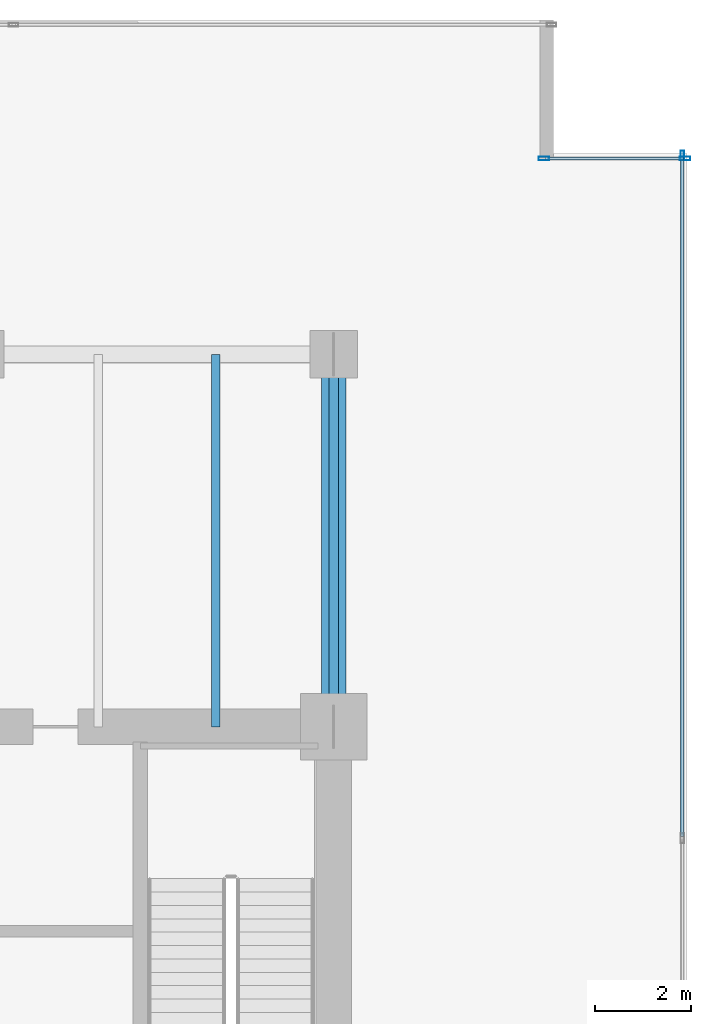
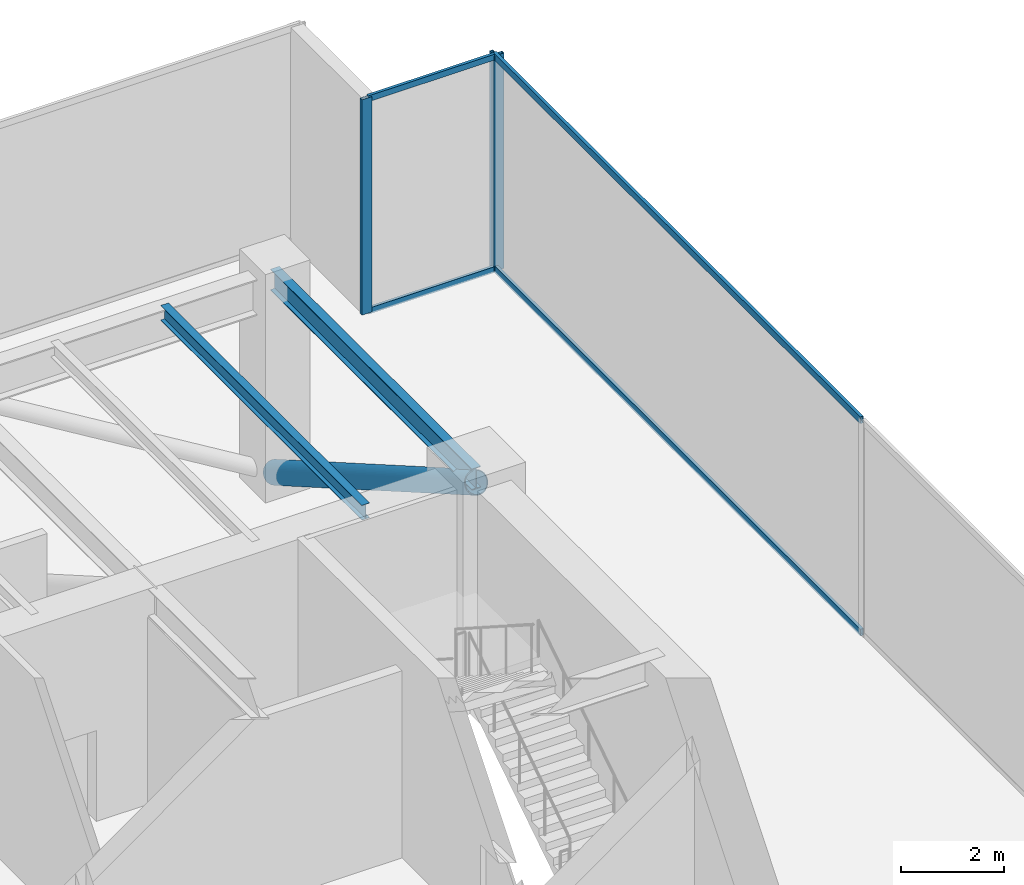
# One storey, part 26 of 38: 8 members, 2 beams, 2 elements without a shape of their own.
"""IFC4 building model written with IfcOpenShell, lengths in metres."""

from ifc_helpers import new_model, si_unit, direction, frame, origin, origin_2d, place, context, subcontext, project, spatial, hollow_rectangle, hollow_circle, i_section, extrude, source, transform, mapped, material, layer, layer_set, material_profile, profile_set, type_object, type_shapes, element, aggregate, save


model = new_model("IFC4")

# Units and contexts
model_context = context("Model", 3, precision=1e-05, world=origin(), true_north=direction((0.0, 1.0)))
body_context = subcontext(model_context, "Body", "Model", "MODEL_VIEW")
ifc_project = project(units=[si_unit("LENGTHUNIT", "METRE"), si_unit("AREAUNIT", "SQUARE_METRE"), si_unit("VOLUMEUNIT", "CUBIC_METRE"), si_unit("PLANEANGLEUNIT", "RADIAN"), si_unit("MASSUNIT", "GRAM", prefix="KILO")], contexts=[model_context])

# Site, building, storey
site_placement = place(None, origin())
site = spatial("IfcSite", under=ifc_project, at=site_placement, CompositionType="ELEMENT")
building_placement = place(site_placement, origin())
building = spatial("IfcBuilding", under=site, at=building_placement, Name="Haelvirn Gate Laboratories", CompositionType="ELEMENT")
storey_placement = place(building_placement, frame((0.0, 0.0, 94.89990234375)))
storey = spatial("IfcBuildingStorey", under=building, at=storey_placement, Name="L23", CompositionType="ELEMENT", Elevation=94.89990234375)

# Beams
ifc_material_1 = material(Name="Steel SM355", Category="steel")
ifc_material_profile_1 = material_profile(ifc_material_1, i_section(OverallWidth=0.199951171875, OverallDepth=0.5, WebThickness=0.010009765625, FlangeThickness=0.01611328125, at=origin_2d()), Name="H-500x200x10x16")
ifc_profile_set_1 = profile_set([ifc_material_profile_1], Name="Steel SM355")
beam_type_1 = type_object("IfcBeamType", Name="BM-SP-500", PredefinedType="SPANDREL", material=ifc_profile_set_1)
shared_shape_1 = source(origin(), body_context, "Body", "SweptSolid", [
    extrude(i_section(OverallWidth=0.199951171875, OverallDepth=0.5, WebThickness=0.010009765625, FlangeThickness=0.01611328125, at=origin_2d()), origin(), (0.0, 0.0, 1.0), 7.800048828125),
])
type_shapes(beam_type_1, [shared_shape_1])
beam_1_placement = place(storey_placement, frame((67.39990234375, 33.800048828125, 4.840087890625), z_axis=(0.0, 1.0, 0.0), x_axis=(-1.0, 0.0, 0.0)))
element("IfcBeam", 1, at=beam_1_placement, inside=storey, type_object=beam_type_1, Name="L23 Perimeter Spandrel X67.4 (33.8-41.6)", PredefinedType="SPANDREL", context=body_context, shape_type="MappedRepresentation", body=[
    mapped(shared_shape_1, transform((0.0, 0.0, 0.0), scale=1.0)),
])
ifc_material_profile_2 = material_profile(ifc_material_1, i_section(OverallWidth=0.175048828125, OverallDepth=0.35009765625, WebThickness=0.007080078125, FlangeThickness=0.010986328125, at=origin_2d()), Name="H-350x175x7x11")
ifc_profile_set_2 = profile_set([ifc_material_profile_2], Name="Steel SM355")
beam_type_2 = type_object("IfcBeamType", Name="BM-J-350", PredefinedType="JOIST", material=ifc_profile_set_2)
shared_shape_2 = source(origin(), body_context, "Body", "SweptSolid", [
    extrude(i_section(OverallWidth=0.175048828125, OverallDepth=0.35009765625, WebThickness=0.007080078125, FlangeThickness=0.010986328125, at=origin_2d()), origin(), (0.0, 0.0, 1.0), 7.800048828125),
])
type_shapes(beam_type_2, [shared_shape_2])
beam_2_placement = place(storey_placement, frame((64.929931640625, 33.800048828125, 4.9150390625), z_axis=(0.0, 1.0, 0.0), x_axis=(-1.0, 0.0, 0.0)))
element("IfcBeam", 2, at=beam_2_placement, inside=storey, type_object=beam_type_2, Name="L23 Composite Lab Joist North X64.93", PredefinedType="JOIST", context=body_context, shape_type="MappedRepresentation", body=[
    mapped(shared_shape_2, transform((0.0, 0.0, 0.0), scale=1.0)),
])

# Member
ifc_material_2 = material(Name="Steel SM420", Category="steel")
ifc_material_profile_3 = material_profile(ifc_material_2, hollow_circle(Radius=0.25390625, WallThickness=0.02001953125, at=origin_2d()), Name="CHS-508x20")
ifc_profile_set_3 = profile_set([ifc_material_profile_3], Name="Steel SM420")
member_type_1 = type_object("IfcMemberType", Name="MEM-OUTRIG-1", PredefinedType="BRACE", material=ifc_profile_set_3)
shared_shape_3 = source(origin(), body_context, "Body", "SweptSolid", [
    extrude(hollow_circle(Radius=0.25390625, WallThickness=0.02001953125, at=origin_2d()), origin(), (0.0, 0.0, 1.0), 9.0),
])
type_shapes(member_type_1, [shared_shape_3])
member_1_placement = place(storey_placement, frame((67.39990234375, 33.800048828125, 4.739990234375), z_axis=(0.0, 0.866667951138, -0.498885420182), x_axis=(-1.0, 0.0, 0.0)))
element("IfcMember", 3, at=member_1_placement, inside=storey, type_object=member_type_1, Name="L23 Outrigger Truss Arm EN2", PredefinedType="BRACE", context=body_context, shape_type="MappedRepresentation", body=[
    mapped(shared_shape_3, transform((0.0, 0.0, 0.0), scale=1.0)),
])

# Curtain wall, members
ifc_material_3 = material(Name="Anodised bronze unitised aluminium & triple low-E glass", Category="aluminium")
ifc_layer_1 = layer(ifc_material_3, 0.181884765625, Name="CW-SYS-5")
ifc_layer_set_1 = layer_set([ifc_layer_1], Name="Anodised bronze unitised aluminium & triple low-E glass")
curtain_wall_type_1 = type_object("IfcCurtainWallType", Name="CW-SYS-5", PredefinedType="NOTDEFINED", material=ifc_layer_set_1)
curtain_wall_1_placement = place(storey_placement, origin())
curtain_wall_1 = element("IfcCurtainWall", 4, at=curtain_wall_1_placement, inside=storey, type_object=curtain_wall_type_1, Name="L23 Unitised Curtain Wall CW-L23-P0-E08-1", PredefinedType="NOTDEFINED")
ifc_material_4 = material(Name="Extruded aluminium 6063-T6 (anodised bronze)", Category="aluminium")
ifc_material_profile_4 = material_profile(ifc_material_4, hollow_rectangle(XDim=0.06494140625, YDim=0.139892578125, WallThickness=0.00390625, at=origin_2d()), Name="CWT-140x65x4")
ifc_profile_set_4 = profile_set([ifc_material_profile_4], Name="Extruded aluminium 6063-T6 (anodised bronze)")
member_type_2 = type_object("IfcMemberType", Name="CWT-T140", PredefinedType="USERDEFINED", material=ifc_profile_set_4)
shared_shape_4 = source(origin(), body_context, "Body", "SweptSolid", [
    extrude(hollow_rectangle(XDim=0.06494140625, YDim=0.139892578125, WallThickness=0.00390625, at=origin_2d()), origin(), (0.0, 0.0, 1.0), 2.8798828125),
])
type_shapes(member_type_2, [shared_shape_4])
member_2_placement = place(storey_placement, frame((71.840087890625, 45.699951171875, 0.03271484375), z_axis=(1.0, 0.0, 0.0), x_axis=(0.0, 1.0, 0.0)))
member_2 = element("IfcMember", 5, at=member_2_placement, type_object=member_type_2, Name="CW5 transom 1.1", ObjectType="TRANSOM", PredefinedType="USERDEFINED", context=body_context, shape_type="MappedRepresentation", body=[
    mapped(shared_shape_4, transform((0.0, 0.0, 0.0), scale=1.0)),
])
member_3_placement = place(storey_placement, frame((71.840087890625, 45.699951171875, 5.0576171875), z_axis=(1.0, 0.0, 0.0), x_axis=(0.0, 1.0, 0.0)))
member_3 = element("IfcMember", 6, at=member_3_placement, type_object=member_type_2, Name="CW5 transom 1.2", ObjectType="TRANSOM", PredefinedType="USERDEFINED", context=body_context, shape_type="MappedRepresentation", body=[
    mapped(shared_shape_4, transform((0.0, 0.0, 0.0), scale=1.0)),
])

ifc_layer_2 = layer(ifc_material_3, 0.18408203125, Name="CW-SYS-2")
ifc_layer_set_2 = layer_set([ifc_layer_2], Name="Anodised bronze unitised aluminium & triple low-E glass")
curtain_wall_type_2 = type_object("IfcCurtainWallType", Name="CW-SYS-2", PredefinedType="NOTDEFINED", material=ifc_layer_set_2)
curtain_wall_2_placement = place(storey_placement, origin())
curtain_wall_2 = element("IfcCurtainWall", 7, at=curtain_wall_2_placement, inside=storey, type_object=curtain_wall_type_2, Name="L23 Unitised Curtain Wall CW-L23-P0-E07", PredefinedType="NOTDEFINED")
ifc_material_profile_5 = material_profile(ifc_material_4, hollow_rectangle(XDim=0.070068359375, YDim=0.159912109375, WallThickness=0.0048828125, at=origin_2d()), Name="CWT-160x70x5")
ifc_profile_set_5 = profile_set([ifc_material_profile_5], Name="Extruded aluminium 6063-T6 (anodised bronze)")
member_type_3 = type_object("IfcMemberType", Name="CWT-T160", PredefinedType="USERDEFINED", material=ifc_profile_set_5)
shared_shape_5 = source(origin(), body_context, "Body", "SweptSolid", [
    extrude(hollow_rectangle(XDim=0.070068359375, YDim=0.159912109375, WallThickness=0.0048828125, at=origin_2d()), origin(), (0.0, 0.0, 1.0), 14.220947265625),
])
type_shapes(member_type_3, [shared_shape_5])
member_4_placement = place(storey_placement, frame((74.699951171875, 31.504150390625, 0.03515625), z_axis=(0.0, 1.0, 0.0), x_axis=(-1.0, 0.0, 0.0)))
member_4 = element("IfcMember", 8, at=member_4_placement, type_object=member_type_3, Name="CW2 transom 3.1", ObjectType="TRANSOM", PredefinedType="USERDEFINED", context=body_context, shape_type="MappedRepresentation", body=[
    mapped(shared_shape_5, transform((0.0, 0.0, 0.0), scale=1.0)),
])
member_5_placement = place(storey_placement, frame((74.699951171875, 31.504150390625, 5.05517578125), z_axis=(0.0, 1.0, 0.0), x_axis=(-1.0, 0.0, 0.0)))
member_5 = element("IfcMember", 9, at=member_5_placement, type_object=member_type_3, Name="CW2 transom 3.2", ObjectType="TRANSOM", PredefinedType="USERDEFINED", context=body_context, shape_type="MappedRepresentation", body=[
    mapped(shared_shape_5, transform((0.0, 0.0, 0.0), scale=1.0)),
])
ifc_material_profile_6 = material_profile(ifc_material_4, hollow_rectangle(XDim=0.074951171875, YDim=0.199951171875, WallThickness=0.0048828125, at=origin_2d()), Name="CWM-200x75x5")
ifc_profile_set_6 = profile_set([ifc_material_profile_6], Name="Extruded aluminium 6063-T6 (anodised bronze)")
member_type_4 = type_object("IfcMemberType", Name="CWM-T200", PredefinedType="MULLION", material=ifc_profile_set_6)
shared_shape_6 = source(origin(), body_context, "Body", "SweptSolid", [
    extrude(hollow_rectangle(XDim=0.074951171875, YDim=0.199951171875, WallThickness=0.0048828125, at=origin_2d()), origin(), (0.0, 0.0, 1.0), 5.090087890625),
])
type_shapes(member_type_4, [shared_shape_6])
member_6_placement = place(storey_placement, frame((74.699951171875, 45.762451171875, 0.0), z_axis=(0.0, 0.0, 1.0), x_axis=(-1.0, 0.0, 0.0)))
member_6 = element("IfcMember", 10, at=member_6_placement, type_object=member_type_4, Name="CW2 mullion 4", PredefinedType="MULLION", context=body_context, shape_type="MappedRepresentation", body=[
    mapped(shared_shape_6, transform((0.0, 0.0, 0.0), scale=1.0)),
])
aggregate(curtain_wall_2, [member_6, member_4, member_5])

# Member
ifc_material_profile_7 = material_profile(ifc_material_4, hollow_rectangle(XDim=0.080078125, YDim=0.219970703125, WallThickness=0.006103515625, at=origin_2d()), Name="CWM-220x80x6")
ifc_profile_set_7 = profile_set([ifc_material_profile_7], Name="Extruded aluminium 6063-T6 (anodised bronze)")
member_type_5 = type_object("IfcMemberType", Name="CWM-T220", PredefinedType="MULLION", material=ifc_profile_set_7)
shared_shape_7 = source(origin(), body_context, "Body", "SweptSolid", [
    extrude(hollow_rectangle(XDim=0.080078125, YDim=0.219970703125, WallThickness=0.006103515625, at=origin_2d()), origin(), (0.0, 0.0, 1.0), 5.090087890625),
])
type_shapes(member_type_5, [shared_shape_7])
member_7_placement = place(storey_placement, frame((71.800048828125, 45.699951171875, 0.0), z_axis=(0.0, 0.0, 1.0), x_axis=(0.0, 1.0, 0.0)))
member_7 = element("IfcMember", 11, at=member_7_placement, type_object=member_type_5, Name="CW5 mullion 1", PredefinedType="MULLION", context=body_context, shape_type="MappedRepresentation", body=[
    mapped(shared_shape_7, transform((0.0, 0.0, 0.0), scale=1.0)),
])

member_8_placement = place(storey_placement, frame((74.760009765625, 45.699951171875, 0.0), z_axis=(0.0, 0.0, 1.0), x_axis=(0.0, 1.0, 0.0)))
member_8 = element("IfcMember", 12, at=member_8_placement, type_object=member_type_5, Name="CW5 mullion 2", PredefinedType="MULLION", context=body_context, shape_type="MappedRepresentation", body=[
    mapped(shared_shape_7, transform((0.0, 0.0, 0.0), scale=1.0)),
])

aggregate(curtain_wall_1, [member_7, member_8, member_2, member_3])

save(model, "model.ifc")
